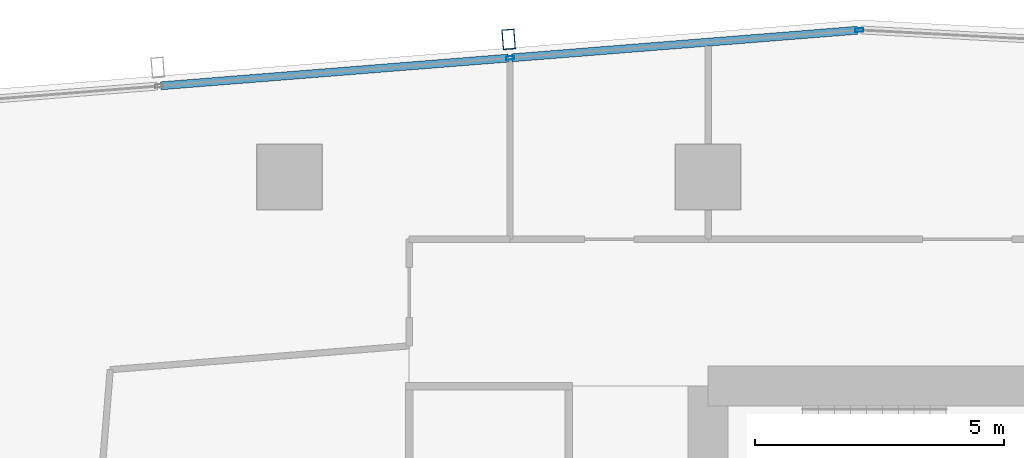
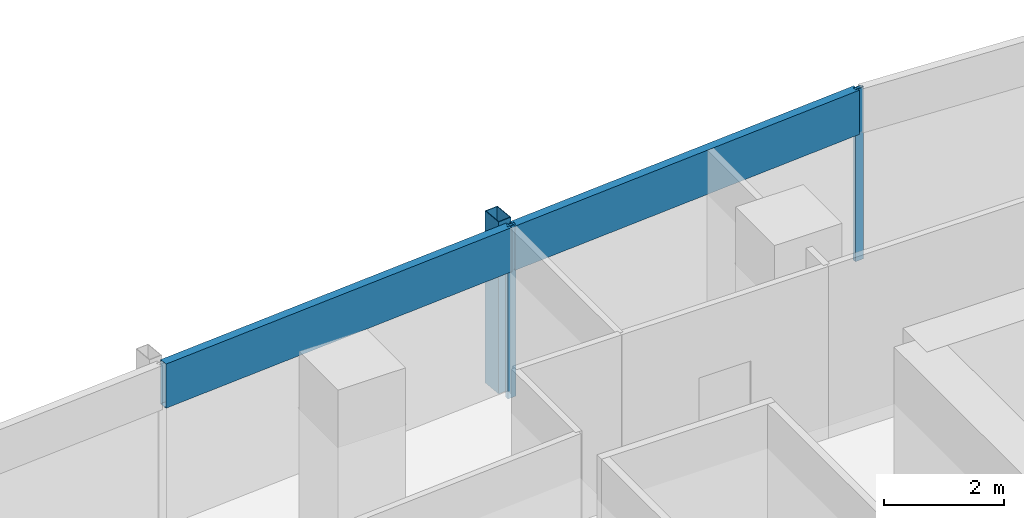
# One storey, part 16 of 29: 5 members, 1 element without a shape of its own.
"""IFC4 building model written with IfcOpenShell, lengths in metres."""

from ifc_helpers import new_model, si_unit, direction, frame, origin, origin_2d, place, context, subcontext, project, spatial, hollow_rectangle, extrude, material, material_profile, profile_set, type_object, element, aggregate, save


model = new_model("IFC4")

# Units and contexts
model_context = context("Model", 3, precision=1e-05, world=origin(), true_north=direction((0.0, 1.0)))
body_context = subcontext(model_context, "Body", "Model", "MODEL_VIEW")
ifc_project = project(units=[si_unit("LENGTHUNIT", "METRE"), si_unit("AREAUNIT", "SQUARE_METRE"), si_unit("VOLUMEUNIT", "CUBIC_METRE"), si_unit("PLANEANGLEUNIT", "RADIAN"), si_unit("MASSUNIT", "GRAM", prefix="KILO")], contexts=[model_context])

# Site, building, storey
site_placement = place(None, origin())
site = spatial("IfcSite", under=ifc_project, at=site_placement, CompositionType="ELEMENT")
building_placement = place(site_placement, origin())
building = spatial("IfcBuilding", under=site, at=building_placement, Name="Rekha Terrace Tower", CompositionType="ELEMENT")
storey_placement = place(building_placement, frame((0.0, 0.0, 276.35009765625)))
storey = spatial("IfcBuildingStorey", under=building, at=storey_placement, Name="L70", CompositionType="ELEMENT", Elevation=276.35009765625)

# Curtain wall, members
ifc_material_1 = material(Name="Aluminium framing", Category="aluminium")
curtain_wall_type = type_object("IfcCurtainWallType", Name="CW3 north unitised glazing", PredefinedType="USERDEFINED", material=ifc_material_1)
curtain_wall_placement = place(storey_placement, origin())
curtain_wall = element("IfcCurtainWall", 1, at=curtain_wall_placement, inside=storey, type_object=curtain_wall_type, Name="CW3 unitised curtain wall", ObjectType="UNITISED CURTAIN WALL", PredefinedType="USERDEFINED")
ifc_material_2 = material(Name="Steel S355 with fluorocarbon finish", Category="steel")
ifc_material_profile_1 = material_profile(ifc_material_2, hollow_rectangle(XDim=0.25, YDim=0.39990234375, WallThickness=0.012451171875, at=origin_2d()), Name="RHS400x250x12.5")
ifc_profile_set_1 = profile_set([ifc_material_profile_1], Name="Steel S355 with fluorocarbon finish")
member_type_1 = type_object("IfcMemberType", Name="BL1 facade blade RHS 400 x 250", PredefinedType="USERDEFINED", material=ifc_profile_set_1)
member_1_placement = place(storey_placement, frame((21.197021484375, 53.16162109375, 0.0), z_axis=(0.0, 0.0, 1.0), x_axis=(-0.996836012392, -0.079485623849, 0.0)))
member_1 = element("IfcMember", 2, at=member_1_placement, type_object=member_type_1, Name="Facade blade", ObjectType="FACADE BLADE", PredefinedType="USERDEFINED", context=body_context, shape_type="SweptSolid", body=[
    extrude(hollow_rectangle(XDim=0.25, YDim=0.39990234375, WallThickness=0.012451171875, at=origin_2d()), origin(), (0.0, 0.0, 1.0), 3.5),
])
ifc_material_3 = material(Name="Aluminium mullion section", Category="aluminium")
ifc_material_profile_2 = material_profile(ifc_material_3, hollow_rectangle(XDim=0.070068359375, YDim=0.159912109375, WallThickness=0.00390625, at=origin_2d()), Name="AL RHS 70x160")
ifc_profile_set_2 = profile_set([ifc_material_profile_2], Name="Aluminium mullion section")
member_type_2 = type_object("IfcMemberType", Name="CW3 mullion RHS 70 x 160", PredefinedType="MULLION", material=ifc_profile_set_2)
member_2_placement = place(storey_placement, frame((28.23779296875, 53.3466796875, 0.0), z_axis=(0.0, 0.0, 1.0), x_axis=(0.07948505154, -0.996836058026, 0.0)))
member_2 = element("IfcMember", 3, at=member_2_placement, type_object=member_type_2, Name="CW3 mullion 1", PredefinedType="MULLION", context=body_context, shape_type="SweptSolid", body=[
    extrude(hollow_rectangle(XDim=0.070068359375, YDim=0.159912109375, WallThickness=0.00390625, at=origin_2d()), origin(), (0.0, 0.0, 1.0), 3.5),
])
member_3_placement = place(storey_placement, frame((21.22705078125, 52.787841796875, 0.0), z_axis=(0.0, 0.0, 1.0), x_axis=(0.07948505154, -0.996836058026, 0.0)))
member_3 = element("IfcMember", 4, at=member_3_placement, type_object=member_type_2, Name="CW3 mullion 2", PredefinedType="MULLION", context=body_context, shape_type="SweptSolid", body=[
    extrude(hollow_rectangle(XDim=0.070068359375, YDim=0.159912109375, WallThickness=0.00390625, at=origin_2d()), origin(), (0.0, 0.0, 1.0), 3.5),
])
ifc_material_4 = material(Name="Insulated aluminium spandrel box", Category="aluminium")
ifc_material_profile_3 = material_profile(ifc_material_4, hollow_rectangle(XDim=0.159912109375, YDim=0.89990234375, WallThickness=0.0029296875, at=origin_2d()), Name="AL SPANDREL BOX 160x900")
ifc_profile_set_3 = profile_set([ifc_material_profile_3], Name="Insulated aluminium spandrel box")
member_type_3 = type_object("IfcMemberType", Name="CW3 spandrel transom 160 x 900", PredefinedType="USERDEFINED", material=ifc_profile_set_3)
member_4_placement = place(storey_placement, frame((28.202880859375, 53.343994140625, 3.0498046875), z_axis=(-0.996836091906, -0.079484626652, 0.0), x_axis=(0.079484626652, -0.996836091906, 0.0)))
member_4 = element("IfcMember", 5, at=member_4_placement, type_object=member_type_3, Name="CW3 spandrel transom 1", ObjectType="TRANSOM", PredefinedType="USERDEFINED", context=body_context, shape_type="SweptSolid", body=[
    extrude(hollow_rectangle(XDim=0.159912109375, YDim=0.89990234375, WallThickness=0.0029296875, at=origin_2d()), origin(), (0.0, 0.0, 1.0), 6.963134765625),
])
member_5_placement = place(storey_placement, frame((21.192138671875, 52.784912109375, 3.0498046875), z_axis=(-0.996837204037, -0.079470677917, 0.0), x_axis=(0.079470677917, -0.996837204037, 0.0)))
member_5 = element("IfcMember", 6, at=member_5_placement, type_object=member_type_3, Name="CW3 spandrel transom 2", ObjectType="TRANSOM", PredefinedType="USERDEFINED", context=body_context, shape_type="SweptSolid", body=[
    extrude(hollow_rectangle(XDim=0.159912109375, YDim=0.89990234375, WallThickness=0.0029296875, at=origin_2d()), origin(), (0.0, 0.0, 1.0), 6.998291015625),
])
aggregate(curtain_wall, [member_2, member_3, member_4, member_5, member_1])

save(model, "model.ifc")
